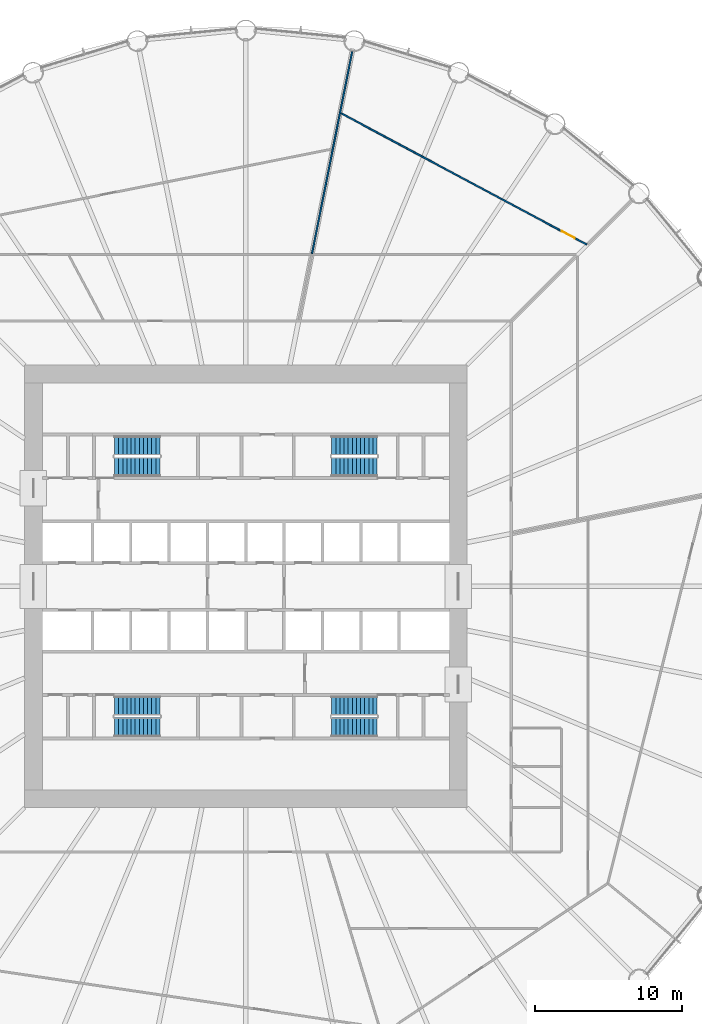
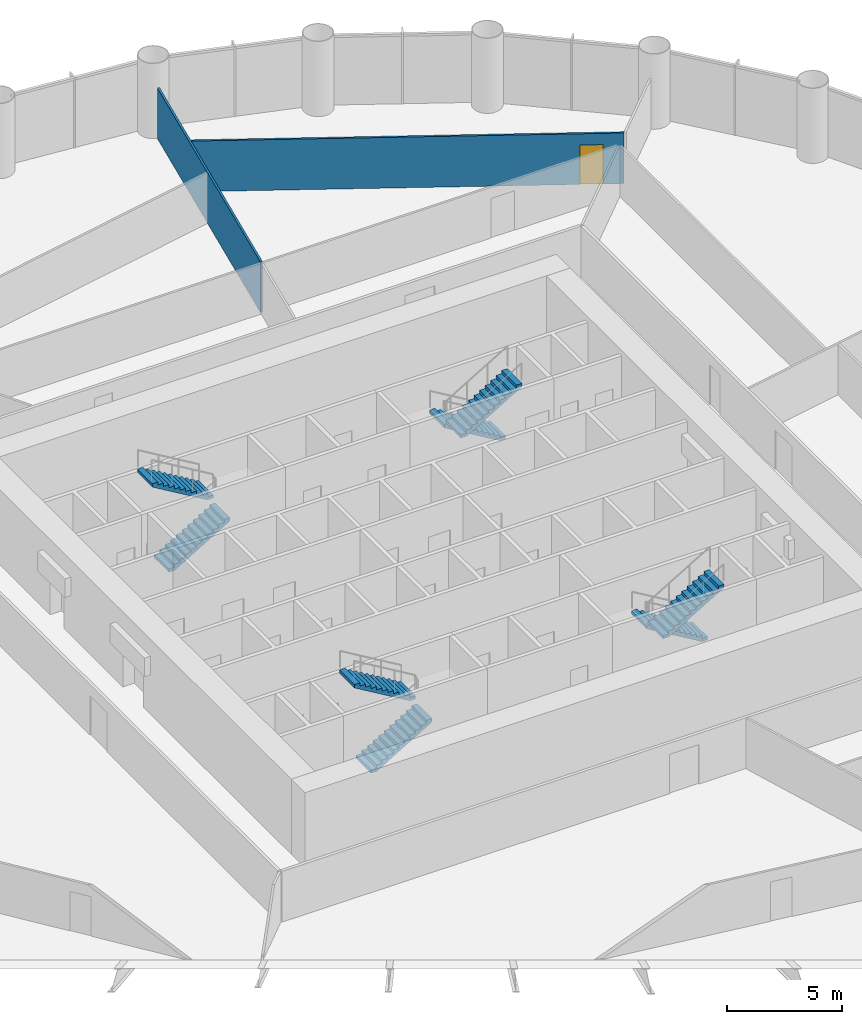
# One storey, part 14 of 15: 8 stair flights, 2 walls, 1 door, 1 opening, 4 elements without a shape of their own.
"""IFC4 building model written with IfcOpenShell, lengths in metres."""

from ifc_helpers import new_model, si_unit, direction, frame, frame_2d, origin, place, context, subcontext, project, spatial, polyline, rectangle, outline, extrude, material, layer, layer_set, type_object, element, fill, aggregate, save


model = new_model("IFC4")

# Units and contexts
model_context = context("Model", 3, precision=1e-05, world=origin(), true_north=direction((0.0, 1.0)))
body_context = subcontext(model_context, "Body", "Model", "MODEL_VIEW")
ifc_project = project(units=[si_unit("LENGTHUNIT", "METRE"), si_unit("AREAUNIT", "SQUARE_METRE"), si_unit("VOLUMEUNIT", "CUBIC_METRE"), si_unit("PLANEANGLEUNIT", "RADIAN"), si_unit("MASSUNIT", "GRAM", prefix="KILO")], contexts=[model_context])

# Site, building, storey
site_placement = place(None, origin())
site = spatial("IfcSite", under=ifc_project, at=site_placement, CompositionType="ELEMENT")
building_placement = place(site_placement, origin())
building = spatial("IfcBuilding", under=site, at=building_placement, Name="Corvane Civic Tower", CompositionType="ELEMENT")
storey_placement = place(building_placement, frame((0.0, 0.0, 69.0)))
storey = spatial("IfcBuildingStorey", under=building, at=storey_placement, Name="L15", CompositionType="ELEMENT", Elevation=69.0)

# Wall
ifc_material_1 = material(Name="Plasterboard")
ifc_layer = layer(ifc_material_1, 0.10009765625)
ifc_layer_set = layer_set([ifc_layer], Name="Plasterboard")
wall_type = type_object("IfcWallType", Name="Partition 100 plasterboard on studs", PredefinedType="PARTITIONING", material=ifc_layer_set)
wall_1_placement = place(storey_placement, frame((4.4873046875, 22.559814453125, 0.0), z_axis=(0.0, 0.0, 1.0), x_axis=(0.195092328551, 0.980784881277, 0.0)))
element("IfcWall", 1, at=wall_1_placement, inside=storey, type_object=wall_type, Name="Partition L15.031", PredefinedType="PARTITIONING", context=body_context, shape_type="SweptSolid", body=[
    extrude(rectangle(XDim=13.98828125, YDim=0.10009765625, at=frame_2d((6.994140625, 0.0))), origin(), (0.0, 0.0, 1.0), 2.699951171875),
])

# Wall, opening, door
wall_2_placement = place(storey_placement, frame((6.447509765625, 32.0830078125, 0.0), z_axis=(0.0, 0.0, 1.0), x_axis=(0.881920746375, -0.471397705885, 0.0)))
wall_2 = element("IfcWall", 2, at=wall_2_placement, inside=storey, type_object=wall_type, Name="Partition L15.032", PredefinedType="PARTITIONING", context=body_context, shape_type="SweptSolid", body=[
    extrude(rectangle(XDim=18.90576171875, YDim=0.10009765625, at=frame_2d((9.452880859375, 0.0))), origin(), (0.0, 0.0, 1.0), 2.699951171875),
])
opening_placement = place(wall_2_placement, frame((16.981201171875, 0.0, 0.0)))
opening = element("IfcOpeningElement", 3, at=opening_placement, cuts=wall_2, Name="Opening L15.007", PredefinedType="OPENING", context=body_context, shape_type="SweptSolid", body=[
    extrude(rectangle(XDim=1.0, YDim=2.10009765625, at=frame_2d((0.5, 1.050048828125))), frame((0.0, 0.06005859375, 0.0), z_axis=(0.0, -1.0, 0.0), x_axis=(1.0, 0.0, 0.0)), (0.0, 0.0, 1.0), 0.1201171875),
])
ifc_material_2 = material(Name="Timber", Category="wood")
door_type = type_object("IfcDoorType", Name="Single door 1000", OperationType="NOTDEFINED", PredefinedType="DOOR", material=ifc_material_2)
door_placement = place(opening_placement, origin())
door = element("IfcDoor", 4, at=door_placement, inside=storey, type_object=door_type, Name="Door L15.007", OperationType="SINGLE_SWING_RIGHT", OverallHeight=2.10009765625, OverallWidth=1.0, PredefinedType="DOOR", context=body_context, shape_type="SweptSolid", body=[
    extrude(rectangle(XDim=1.0, YDim=2.10009765625, at=frame_2d((0.5, 1.050048828125))), frame((0.0, 0.02490234375, 0.0), z_axis=(0.0, -1.0, 0.0), x_axis=(1.0, 0.0, 0.0)), (0.0, 0.0, 1.0), 0.050048828125),
])
fill(opening, door)

# Stair, stair flights
ifc_material_3 = material(Name="Concrete C40/50", Category="concrete")
stair_type = type_object("IfcStairType", Name="ST-STAIR-HALFTURN", PredefinedType="HALF_TURN_STAIR", material=ifc_material_3)
stair_1_placement = place(storey_placement, origin())
stair_1 = element("IfcStair", 5, at=stair_1_placement, inside=storey, type_object=stair_type, Name="L15 Exit stair ST1", PredefinedType="HALF_TURN_STAIR")
ifc_material_4 = material(Name="Concrete C40/50", Category="concrete")
stair_flight_type = type_object("IfcStairFlightType", Name="ST-FLIGHT-RC", PredefinedType="STRAIGHT", material=ifc_material_4)
stair_flight_1_placement = place(storey_placement, frame((8.89990234375, 9.550048828125, 0.0), z_axis=(0.0, 0.0, 1.0), x_axis=(-1.0, 0.0, 0.0)))
stair_flight_1 = element("IfcStairFlight", 6, at=stair_flight_1_placement, type_object=stair_flight_type, Name="ST1 flight 1", NumberOfRisers=12, NumberOfTreads=11, PredefinedType="STRAIGHT", RiserHeight=0.166666667, TreadLength=0.28, context=body_context, shape_type="SweptSolid", body=[
    extrude(outline(polyline([(0.0, 0.0), (0.0, 0.166748046875), (0.280029296875, 0.166748046875), (0.280029296875, 0.333251953125), (0.56005859375, 0.333251953125), (0.56005859375, 0.5), (0.840087890625, 0.5), (0.840087890625, 0.666748046875), (1.1201171875, 0.666748046875), (1.1201171875, 0.833251953125), (1.39990234375, 0.833251953125), (1.39990234375, 1.0), (1.679931640625, 1.0), (1.679931640625, 1.166748046875), (1.9599609375, 1.166748046875), (1.9599609375, 1.333251953125), (2.239990234375, 1.333251953125), (2.239990234375, 1.5), (2.52001953125, 1.5), (2.52001953125, 1.666748046875), (2.800048828125, 1.666748046875), (2.800048828125, 1.833251953125), (3.080078125, 1.833251953125), (3.080078125, 2.0), (3.080078125, 1.658935546875), (0.29296875, 0.0), (0.0, 0.0)])), frame((0.0, 0.64990234375, 0.0), z_axis=(0.0, -1.0, 0.0), x_axis=(1.0, 0.0, 0.0)), (0.0, 0.0, 1.0), 1.300048828125),
])
stair_flight_2_placement = place(storey_placement, frame((5.820068359375, 8.10009765625, 2.0), z_axis=(0.0, 0.0, 1.0), x_axis=(1.0, 0.0, 0.0)))
stair_flight_2 = element("IfcStairFlight", 7, at=stair_flight_2_placement, type_object=stair_flight_type, Name="ST1 flight 2", NumberOfRisers=12, NumberOfTreads=11, PredefinedType="STRAIGHT", RiserHeight=0.166666667, TreadLength=0.28, context=body_context, shape_type="SweptSolid", body=[
    extrude(outline(polyline([(0.0, 0.0), (0.0, 0.166748046875), (0.280029296875, 0.166748046875), (0.280029296875, 0.333251953125), (0.56005859375, 0.333251953125), (0.56005859375, 0.5), (0.840087890625, 0.5), (0.840087890625, 0.666748046875), (1.1201171875, 0.666748046875), (1.1201171875, 0.833251953125), (1.39990234375, 0.833251953125), (1.39990234375, 1.0), (1.679931640625, 1.0), (1.679931640625, 1.166748046875), (1.9599609375, 1.166748046875), (1.9599609375, 1.333251953125), (2.239990234375, 1.333251953125), (2.239990234375, 1.5), (2.52001953125, 1.5), (2.52001953125, 1.666748046875), (2.800048828125, 1.666748046875), (2.800048828125, 1.833251953125), (3.080078125, 1.833251953125), (3.080078125, 2.0), (3.080078125, 1.658935546875), (0.29296875, 0.0), (0.0, 0.0)])), frame((0.0, 0.64990234375, 0.0), z_axis=(0.0, -1.0, 0.0), x_axis=(1.0, 0.0, 0.0)), (0.0, 0.0, 1.0), 1.300048828125),
])
aggregate(stair_1, [stair_flight_1, stair_flight_2])

stair_2_placement = place(storey_placement, origin())
stair_2 = element("IfcStair", 8, at=stair_2_placement, inside=storey, type_object=stair_type, Name="L15 Exit stair ST2", PredefinedType="HALF_TURN_STAIR")
stair_flight_3_placement = place(storey_placement, frame((8.89990234375, -8.10009765625, 0.0), z_axis=(0.0, 0.0, 1.0), x_axis=(-1.0, 0.0, 0.0)))
stair_flight_3 = element("IfcStairFlight", 9, at=stair_flight_3_placement, type_object=stair_flight_type, Name="ST2 flight 1", NumberOfRisers=12, NumberOfTreads=11, PredefinedType="STRAIGHT", RiserHeight=0.166666667, TreadLength=0.28, context=body_context, shape_type="SweptSolid", body=[
    extrude(outline(polyline([(0.0, 0.0), (0.0, 0.166748046875), (0.280029296875, 0.166748046875), (0.280029296875, 0.333251953125), (0.56005859375, 0.333251953125), (0.56005859375, 0.5), (0.840087890625, 0.5), (0.840087890625, 0.666748046875), (1.1201171875, 0.666748046875), (1.1201171875, 0.833251953125), (1.39990234375, 0.833251953125), (1.39990234375, 1.0), (1.679931640625, 1.0), (1.679931640625, 1.166748046875), (1.9599609375, 1.166748046875), (1.9599609375, 1.333251953125), (2.239990234375, 1.333251953125), (2.239990234375, 1.5), (2.52001953125, 1.5), (2.52001953125, 1.666748046875), (2.800048828125, 1.666748046875), (2.800048828125, 1.833251953125), (3.080078125, 1.833251953125), (3.080078125, 2.0), (3.080078125, 1.658935546875), (0.29296875, 0.0), (0.0, 0.0)])), frame((0.0, 0.64990234375, 0.0), z_axis=(0.0, -1.0, 0.0), x_axis=(1.0, 0.0, 0.0)), (0.0, 0.0, 1.0), 1.300048828125),
])
stair_flight_4_placement = place(storey_placement, frame((5.820068359375, -9.550048828125, 2.0), z_axis=(0.0, 0.0, 1.0), x_axis=(1.0, 0.0, 0.0)))
stair_flight_4 = element("IfcStairFlight", 10, at=stair_flight_4_placement, type_object=stair_flight_type, Name="ST2 flight 2", NumberOfRisers=12, NumberOfTreads=11, PredefinedType="STRAIGHT", RiserHeight=0.166666667, TreadLength=0.28, context=body_context, shape_type="SweptSolid", body=[
    extrude(outline(polyline([(0.0, 0.0), (0.0, 0.166748046875), (0.280029296875, 0.166748046875), (0.280029296875, 0.333251953125), (0.56005859375, 0.333251953125), (0.56005859375, 0.5), (0.840087890625, 0.5), (0.840087890625, 0.666748046875), (1.1201171875, 0.666748046875), (1.1201171875, 0.833251953125), (1.39990234375, 0.833251953125), (1.39990234375, 1.0), (1.679931640625, 1.0), (1.679931640625, 1.166748046875), (1.9599609375, 1.166748046875), (1.9599609375, 1.333251953125), (2.239990234375, 1.333251953125), (2.239990234375, 1.5), (2.52001953125, 1.5), (2.52001953125, 1.666748046875), (2.800048828125, 1.666748046875), (2.800048828125, 1.833251953125), (3.080078125, 1.833251953125), (3.080078125, 2.0), (3.080078125, 1.658935546875), (0.29296875, 0.0), (0.0, 0.0)])), frame((0.0, 0.64990234375, 0.0), z_axis=(0.0, -1.0, 0.0), x_axis=(1.0, 0.0, 0.0)), (0.0, 0.0, 1.0), 1.300048828125),
])
aggregate(stair_2, [stair_flight_3, stair_flight_4])

stair_3_placement = place(storey_placement, origin())
stair_3 = element("IfcStair", 11, at=stair_3_placement, inside=storey, type_object=stair_type, Name="L15 Exit stair ST3", PredefinedType="HALF_TURN_STAIR")
stair_flight_5_placement = place(storey_placement, frame((-8.89990234375, -9.550048828125, 0.0), z_axis=(0.0, 0.0, 1.0), x_axis=(1.0, 0.0, 0.0)))
stair_flight_5 = element("IfcStairFlight", 12, at=stair_flight_5_placement, type_object=stair_flight_type, Name="ST3 flight 1", NumberOfRisers=12, NumberOfTreads=11, PredefinedType="STRAIGHT", RiserHeight=0.166666667, TreadLength=0.28, context=body_context, shape_type="SweptSolid", body=[
    extrude(outline(polyline([(0.0, 0.0), (0.0, 0.166748046875), (0.280029296875, 0.166748046875), (0.280029296875, 0.333251953125), (0.56005859375, 0.333251953125), (0.56005859375, 0.5), (0.840087890625, 0.5), (0.840087890625, 0.666748046875), (1.1201171875, 0.666748046875), (1.1201171875, 0.833251953125), (1.39990234375, 0.833251953125), (1.39990234375, 1.0), (1.679931640625, 1.0), (1.679931640625, 1.166748046875), (1.9599609375, 1.166748046875), (1.9599609375, 1.333251953125), (2.239990234375, 1.333251953125), (2.239990234375, 1.5), (2.52001953125, 1.5), (2.52001953125, 1.666748046875), (2.800048828125, 1.666748046875), (2.800048828125, 1.833251953125), (3.080078125, 1.833251953125), (3.080078125, 2.0), (3.080078125, 1.658935546875), (0.29296875, 0.0), (0.0, 0.0)])), frame((0.0, 0.64990234375, 0.0), z_axis=(0.0, -1.0, 0.0), x_axis=(1.0, 0.0, 0.0)), (0.0, 0.0, 1.0), 1.300048828125),
])
stair_flight_6_placement = place(storey_placement, frame((-5.820068359375, -8.10009765625, 2.0), z_axis=(0.0, 0.0, 1.0), x_axis=(-1.0, 0.0, 0.0)))
stair_flight_6 = element("IfcStairFlight", 13, at=stair_flight_6_placement, type_object=stair_flight_type, Name="ST3 flight 2", NumberOfRisers=12, NumberOfTreads=11, PredefinedType="STRAIGHT", RiserHeight=0.166666667, TreadLength=0.28, context=body_context, shape_type="SweptSolid", body=[
    extrude(outline(polyline([(0.0, 0.0), (0.0, 0.166748046875), (0.280029296875, 0.166748046875), (0.280029296875, 0.333251953125), (0.56005859375, 0.333251953125), (0.56005859375, 0.5), (0.840087890625, 0.5), (0.840087890625, 0.666748046875), (1.1201171875, 0.666748046875), (1.1201171875, 0.833251953125), (1.39990234375, 0.833251953125), (1.39990234375, 1.0), (1.679931640625, 1.0), (1.679931640625, 1.166748046875), (1.9599609375, 1.166748046875), (1.9599609375, 1.333251953125), (2.239990234375, 1.333251953125), (2.239990234375, 1.5), (2.52001953125, 1.5), (2.52001953125, 1.666748046875), (2.800048828125, 1.666748046875), (2.800048828125, 1.833251953125), (3.080078125, 1.833251953125), (3.080078125, 2.0), (3.080078125, 1.658935546875), (0.29296875, 0.0), (0.0, 0.0)])), frame((0.0, 0.64990234375, 0.0), z_axis=(0.0, -1.0, 0.0), x_axis=(1.0, 0.0, 0.0)), (0.0, 0.0, 1.0), 1.300048828125),
])
aggregate(stair_3, [stair_flight_5, stair_flight_6])

stair_4_placement = place(storey_placement, origin())
stair_4 = element("IfcStair", 14, at=stair_4_placement, inside=storey, type_object=stair_type, Name="L15 Exit stair ST4", PredefinedType="HALF_TURN_STAIR")
stair_flight_7_placement = place(storey_placement, frame((-8.89990234375, 8.10009765625, 0.0), z_axis=(0.0, 0.0, 1.0), x_axis=(1.0, 0.0, 0.0)))
stair_flight_7 = element("IfcStairFlight", 15, at=stair_flight_7_placement, type_object=stair_flight_type, Name="ST4 flight 1", NumberOfRisers=12, NumberOfTreads=11, PredefinedType="STRAIGHT", RiserHeight=0.166666667, TreadLength=0.28, context=body_context, shape_type="SweptSolid", body=[
    extrude(outline(polyline([(0.0, 0.0), (0.0, 0.166748046875), (0.280029296875, 0.166748046875), (0.280029296875, 0.333251953125), (0.56005859375, 0.333251953125), (0.56005859375, 0.5), (0.840087890625, 0.5), (0.840087890625, 0.666748046875), (1.1201171875, 0.666748046875), (1.1201171875, 0.833251953125), (1.39990234375, 0.833251953125), (1.39990234375, 1.0), (1.679931640625, 1.0), (1.679931640625, 1.166748046875), (1.9599609375, 1.166748046875), (1.9599609375, 1.333251953125), (2.239990234375, 1.333251953125), (2.239990234375, 1.5), (2.52001953125, 1.5), (2.52001953125, 1.666748046875), (2.800048828125, 1.666748046875), (2.800048828125, 1.833251953125), (3.080078125, 1.833251953125), (3.080078125, 2.0), (3.080078125, 1.658935546875), (0.29296875, 0.0), (0.0, 0.0)])), frame((0.0, 0.64990234375, 0.0), z_axis=(0.0, -1.0, 0.0), x_axis=(1.0, 0.0, 0.0)), (0.0, 0.0, 1.0), 1.300048828125),
])
stair_flight_8_placement = place(storey_placement, frame((-5.820068359375, 9.550048828125, 2.0), z_axis=(0.0, 0.0, 1.0), x_axis=(-1.0, 0.0, 0.0)))
stair_flight_8 = element("IfcStairFlight", 16, at=stair_flight_8_placement, type_object=stair_flight_type, Name="ST4 flight 2", NumberOfRisers=12, NumberOfTreads=11, PredefinedType="STRAIGHT", RiserHeight=0.166666667, TreadLength=0.28, context=body_context, shape_type="SweptSolid", body=[
    extrude(outline(polyline([(0.0, 0.0), (0.0, 0.166748046875), (0.280029296875, 0.166748046875), (0.280029296875, 0.333251953125), (0.56005859375, 0.333251953125), (0.56005859375, 0.5), (0.840087890625, 0.5), (0.840087890625, 0.666748046875), (1.1201171875, 0.666748046875), (1.1201171875, 0.833251953125), (1.39990234375, 0.833251953125), (1.39990234375, 1.0), (1.679931640625, 1.0), (1.679931640625, 1.166748046875), (1.9599609375, 1.166748046875), (1.9599609375, 1.333251953125), (2.239990234375, 1.333251953125), (2.239990234375, 1.5), (2.52001953125, 1.5), (2.52001953125, 1.666748046875), (2.800048828125, 1.666748046875), (2.800048828125, 1.833251953125), (3.080078125, 1.833251953125), (3.080078125, 2.0), (3.080078125, 1.658935546875), (0.29296875, 0.0), (0.0, 0.0)])), frame((0.0, 0.64990234375, 0.0), z_axis=(0.0, -1.0, 0.0), x_axis=(1.0, 0.0, 0.0)), (0.0, 0.0, 1.0), 1.300048828125),
])
aggregate(stair_4, [stair_flight_7, stair_flight_8])

save(model, "model.ifc")
